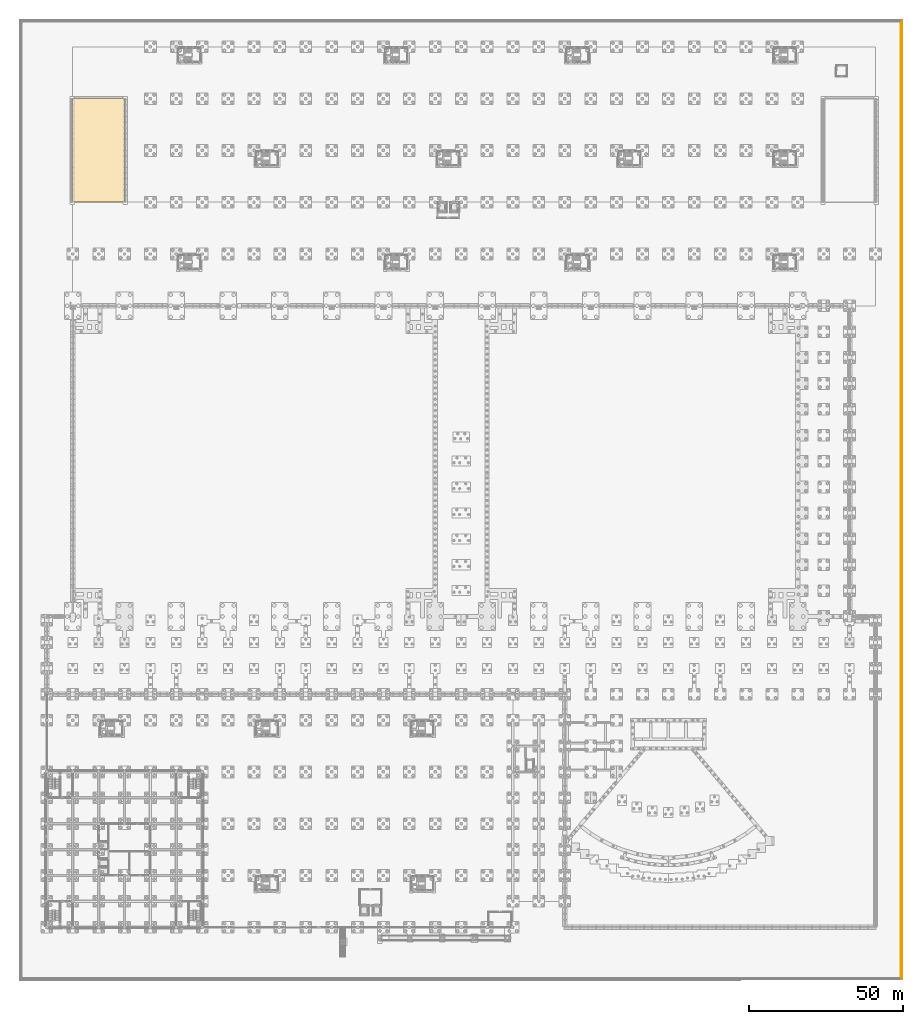
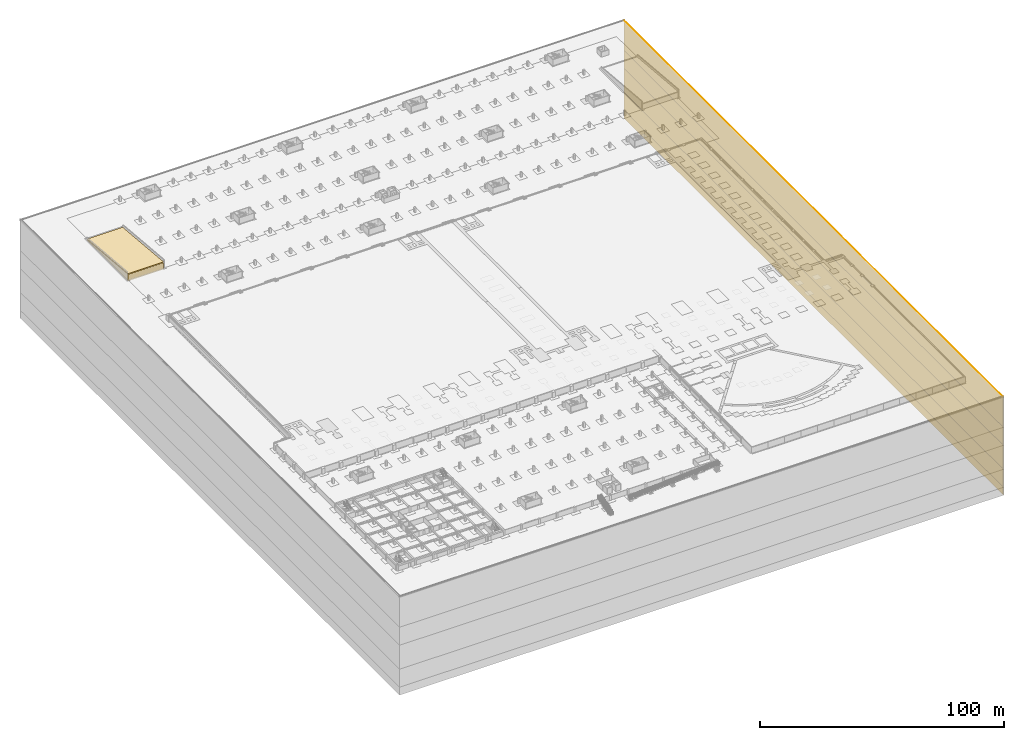
# One storey, part 62 of 67: 8 coverings.
"""IFC4 building model written with IfcOpenShell, lengths in metres."""

from ifc_helpers import new_model, si_unit, direction, frame, origin, origin_2d, place, context, subcontext, project, spatial, polyline, rectangle, outline, extrude, material, layer, layer_set, type_object, element, save


model = new_model("IFC4")

# Units and contexts
model_context = context("Model", 3, precision=1e-05, world=origin(), true_north=direction((0.0, 1.0)))
body_context = subcontext(model_context, "Body", "Model", "MODEL_VIEW")
ifc_project = project(units=[si_unit("LENGTHUNIT", "METRE"), si_unit("AREAUNIT", "SQUARE_METRE"), si_unit("VOLUMEUNIT", "CUBIC_METRE"), si_unit("PLANEANGLEUNIT", "RADIAN"), si_unit("MASSUNIT", "GRAM", prefix="KILO")], contexts=[model_context])

# Site, building, storey
site_placement = place(None, origin())
site = spatial("IfcSite", under=ifc_project, at=site_placement, CompositionType="ELEMENT")
building_placement = place(site_placement, origin())
building = spatial("IfcBuilding", under=site, at=building_placement, Name="Rain Tree Exposition and Congress Centre", CompositionType="ELEMENT")
storey_placement = place(building_placement, frame((0.0, 0.0, -3.0)))
storey = spatial("IfcBuildingStorey", under=building, at=storey_placement, Name="B1", CompositionType="ELEMENT", Elevation=-3.0)

# Coverings
ifc_material_1 = material(Name="Granite", Category="masonry")
covering_type_1 = type_object("IfcCoveringType", Name="Granite kerb 200x150", PredefinedType="MOLDING", material=ifc_material_1)
covering_1_placement = place(storey_placement, frame((277.10009765625, 138.60009765625, 0.0), z_axis=(0.0, 0.0, 1.0), x_axis=(1.0, 0.0, 0.0)))
element("IfcCovering", 1, at=covering_1_placement, inside=storey, type_object=covering_type_1, Name="Boulevard kerb east", PredefinedType="MOLDING", context=body_context, shape_type="SweptSolid", body=[
    extrude(rectangle(XDim=0.199951171875, YDim=310.39990234375, at=origin_2d()), origin(), (0.0, 0.0, 1.0), 0.14990234375),
])
ifc_material_2 = material(Name="Lightweight foamed aggregate fill", Category="soil")
ifc_layer_1 = layer(ifc_material_2, 0.300048828125)
ifc_layer_set_1 = layer_set([ifc_layer_1], Name="Lightweight foamed aggregate fill")
covering_type_2 = type_object("IfcCoveringType", Name="Lightweight ramp fill 16800", PredefinedType="FLOORING", material=ifc_layer_set_1)
covering_2_placement = place(storey_placement, frame((16.800048828125, 268.800048828125, -0.60009765625), z_axis=(0.0, 0.0, 1.0), x_axis=(0.0, -1.0, 0.0)))
element("IfcCovering", 2, at=covering_2_placement, inside=storey, type_object=covering_type_2, Name="Truck Ramp A lightweight fill", PredefinedType="FLOORING", context=body_context, shape_type="SweptSolid", body=[
    extrude(outline(polyline([(0.0, 0.0), (33.60009765625, 0.0), (33.60009765625, 3.300048828125), (0.0, 0.300048828125), (0.0, 0.0)])), frame((0.0, 8.39990234375, 0.0), z_axis=(0.0, -1.0, 0.0), x_axis=(1.0, 0.0, 0.0)), (0.0, 0.0, 1.0), 16.800048828125),
])
ifc_material_3 = material(Name="Non-slip resin wearing course")
ifc_layer_2 = layer(ifc_material_3, 0.050048828125)
ifc_layer_set_2 = layer_set([ifc_layer_2], Name="Non-slip resin wearing course")
covering_type_3 = type_object("IfcCoveringType", Name="Non-slip ramp surfacing 50", PredefinedType="FLOORING", material=ifc_layer_set_2)
covering_3_placement = place(storey_placement, frame((8.39990234375, 268.800048828125, 0.05029296875), z_axis=(0.0, 0.088931681545, 0.99603772821), x_axis=(1.0, 0.0, 0.0)))
element("IfcCovering", 3, at=covering_3_placement, inside=storey, type_object=covering_type_3, Name="Truck Ramp A non-slip surfacing", PredefinedType="FLOORING", context=body_context, shape_type="SweptSolid", body=[
    extrude(outline(polyline([(0.0, 0.0), (16.800048828125, 0.0), (16.800048828125, -33.73375998179771), (0.0, -33.73375998179771), (0.0, 0.0)])), origin(), (0.0, 0.0, -1.0), 0.050048828125),
])
ifc_material_4 = material(Name="Soil-cement slurry", Category="soil")
ifc_layer_3 = layer(ifc_material_4, 0.300048828125)
ifc_layer_set_3 = layer_set([ifc_layer_3], Name="Soil-cement slurry")
covering_type_4 = type_object("IfcCoveringType", Name="Perimeter cut-off screen 300", PredefinedType="MEMBRANE", material=ifc_layer_set_3)
covering_4_placement = place(storey_placement, frame((277.35009765625, 138.60009765625, -15.0), z_axis=(0.0, 0.0, 1.0), x_axis=(1.0, 0.0, 0.0)))
element("IfcCovering", 4, at=covering_4_placement, inside=storey, type_object=covering_type_4, Name="Perimeter cut-off screen east, soft clay", PredefinedType="MEMBRANE", context=body_context, shape_type="SweptSolid", body=[
    extrude(rectangle(XDim=0.300048828125, YDim=310.800048828125, at=origin_2d()), origin(), (0.0, 0.0, 1.0), 15.0),
])
covering_5_placement = place(storey_placement, frame((277.35009765625, 138.60009765625, -24.0), z_axis=(0.0, 0.0, 1.0), x_axis=(1.0, 0.0, 0.0)))
element("IfcCovering", 5, at=covering_5_placement, inside=storey, type_object=covering_type_4, Name="Perimeter cut-off screen east, stiff clay", PredefinedType="MEMBRANE", context=body_context, shape_type="SweptSolid", body=[
    extrude(rectangle(XDim=0.300048828125, YDim=310.800048828125, at=origin_2d()), origin(), (0.0, 0.0, 1.0), 9.0),
])
covering_6_placement = place(storey_placement, frame((277.35009765625, 138.60009765625, -36.0), z_axis=(0.0, 0.0, 1.0), x_axis=(1.0, 0.0, 0.0)))
element("IfcCovering", 6, at=covering_6_placement, inside=storey, type_object=covering_type_4, Name="Perimeter cut-off screen east, first dense sand", PredefinedType="MEMBRANE", context=body_context, shape_type="SweptSolid", body=[
    extrude(rectangle(XDim=0.300048828125, YDim=310.800048828125, at=origin_2d()), origin(), (0.0, 0.0, 1.0), 12.0),
])
covering_7_placement = place(storey_placement, frame((277.35009765625, 138.60009765625, -45.0), z_axis=(0.0, 0.0, 1.0), x_axis=(1.0, 0.0, 0.0)))
element("IfcCovering", 7, at=covering_7_placement, inside=storey, type_object=covering_type_4, Name="Perimeter cut-off screen east, hard clay", PredefinedType="MEMBRANE", context=body_context, shape_type="SweptSolid", body=[
    extrude(rectangle(XDim=0.300048828125, YDim=310.800048828125, at=origin_2d()), origin(), (0.0, 0.0, 1.0), 9.0),
])
covering_8_placement = place(storey_placement, frame((277.35009765625, 138.60009765625, -49.0), z_axis=(0.0, 0.0, 1.0), x_axis=(1.0, 0.0, 0.0)))
element("IfcCovering", 8, at=covering_8_placement, inside=storey, type_object=covering_type_4, Name="Perimeter cut-off screen east, second dense sand", PredefinedType="MEMBRANE", context=body_context, shape_type="SweptSolid", body=[
    extrude(rectangle(XDim=0.300048828125, YDim=310.800048828125, at=origin_2d()), origin(), (0.0, 0.0, 1.0), 4.0),
])

save(model, "model.ifc")
